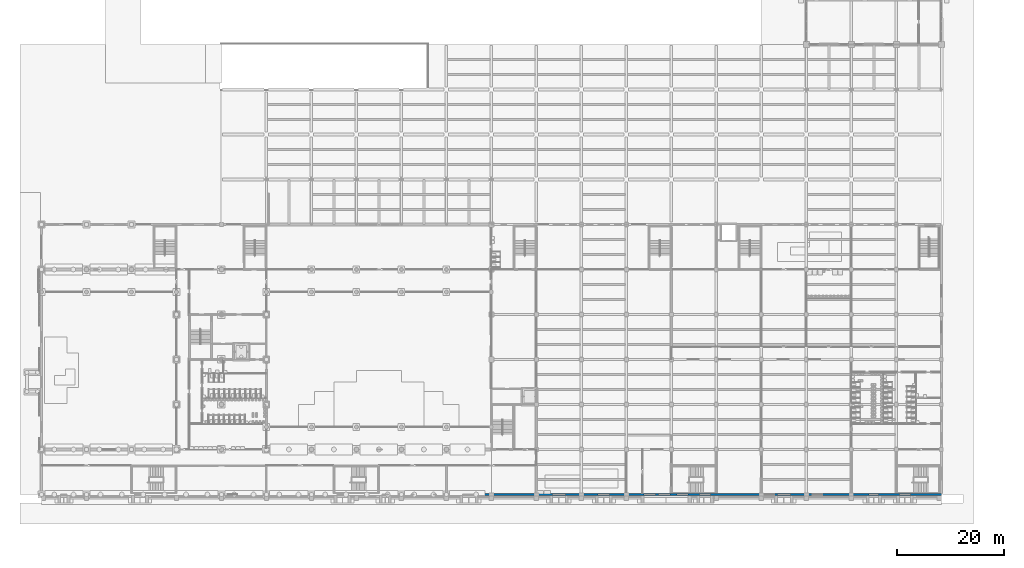
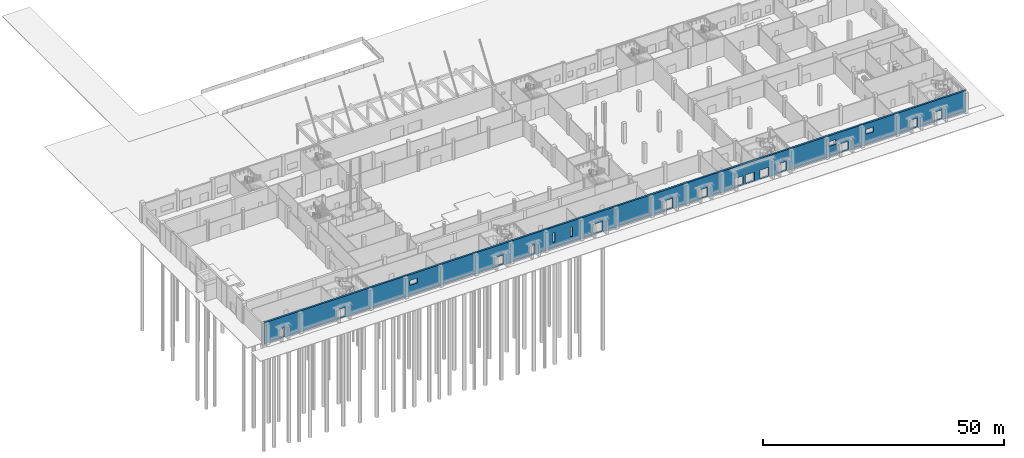
# One storey, part 21 of 74: 1 wall, 19 openings.
"""IFC4 building model written with IfcOpenShell, lengths in metres."""

from ifc_helpers import new_model, si_unit, direction, frame, frame_2d, origin, place, context, subcontext, project, spatial, rectangle, extrude, material, layer, layer_set, type_object, element, save


model = new_model("IFC4")

# Units and contexts
model_context = context("Model", 3, precision=1e-05, world=origin(), true_north=direction((0.0, 1.0)))
body_context = subcontext(model_context, "Body", "Model", "MODEL_VIEW")
ifc_project = project(units=[si_unit("LENGTHUNIT", "METRE"), si_unit("AREAUNIT", "SQUARE_METRE"), si_unit("VOLUMEUNIT", "CUBIC_METRE"), si_unit("PLANEANGLEUNIT", "RADIAN"), si_unit("MASSUNIT", "GRAM", prefix="KILO")], contexts=[model_context])

# Site, building, storey
site_placement = place(None, origin())
site = spatial("IfcSite", under=ifc_project, at=site_placement, CompositionType="ELEMENT")
building_placement = place(site_placement, origin())
building = spatial("IfcBuilding", under=site, at=building_placement, Name="Rulbaag Community and Learning Centre", CompositionType="ELEMENT")
storey_placement = place(building_placement, origin())
storey = spatial("IfcBuildingStorey", under=building, at=storey_placement, Name="L00", CompositionType="ELEMENT", Elevation=0.0)

# Wall, openings
ifc_material = material(Name="Concrete M40", Category="concrete")
ifc_layer = layer(ifc_material, 0.449951171875)
ifc_layer_set = layer_set([ifc_layer], Name="W12 Rail-side wall 450 Concrete M40")
wall_type = type_object("IfcWallType", Name="W12 Rail-side wall 450 Concrete M40", PredefinedType="SOLIDWALL", material=ifc_layer_set)
wall_placement = place(storey_placement, frame((0.0, 0.0, -0.300048828125), z_axis=(0.0, 0.0, 1.0), x_axis=(1.0, 0.0, 0.0)))
wall = element("IfcWall", 1, at=wall_placement, inside=storey, type_object=wall_type, Name="WL-RAIL-L00", PredefinedType="SOLIDWALL", context=body_context, shape_type="SweptSolid", body=[
    extrude(rectangle(XDim=168.0, YDim=0.449951171875, at=frame_2d((84.0, 0.0))), origin(), (0.0, 0.0, 1.0), 5.400146484375),
])
opening_1_placement = place(wall_placement, frame((34.800048828125, 0.0, 2.699951171875)))
element("IfcOpeningElement", 2, at=opening_1_placement, cuts=wall, Name="Opening WN7", PredefinedType="OPENING", context=body_context, shape_type="SweptSolid", body=[
    extrude(rectangle(XDim=1.800048828125, YDim=1.199951171875, at=frame_2d((0.89990234375, 0.60009765625))), frame((0.0, 0.23486328125, 0.0), z_axis=(0.0, -1.0, 0.0), x_axis=(1.0, 0.0, 0.0)), (0.0, 0.0, 1.0), 0.469970703125),
])
opening_2_placement = place(wall_placement, frame((69.074951171875, 0.0, 1.5)))
element("IfcOpeningElement", 3, at=opening_2_placement, cuts=wall, Name="Opening WN6", PredefinedType="OPENING", context=body_context, shape_type="SweptSolid", body=[
    extrude(rectangle(XDim=0.449951171875, YDim=2.39990234375, at=frame_2d((0.22509765625, 1.199951171875))), frame((0.0, 0.23486328125, 0.0), z_axis=(0.0, -1.0, 0.0), x_axis=(1.0, 0.0, 0.0)), (0.0, 0.0, 1.0), 0.469970703125),
])
opening_3_placement = place(wall_placement, frame((73.27490234375, 0.0, 1.5)))
element("IfcOpeningElement", 4, at=opening_3_placement, cuts=wall, Name="Opening WN6", PredefinedType="OPENING", context=body_context, shape_type="SweptSolid", body=[
    extrude(rectangle(XDim=0.449951171875, YDim=2.39990234375, at=frame_2d((0.22509765625, 1.199951171875))), frame((0.0, 0.23486328125, 0.0), z_axis=(0.0, -1.0, 0.0), x_axis=(1.0, 0.0, 0.0)), (0.0, 0.0, 1.0), 0.469970703125),
])
opening_4_placement = place(wall_placement, frame((135.0, 0.0, 2.699951171875)))
element("IfcOpeningElement", 5, at=opening_4_placement, cuts=wall, Name="Opening WN7", PredefinedType="OPENING", context=body_context, shape_type="SweptSolid", body=[
    extrude(rectangle(XDim=1.800048828125, YDim=1.199951171875, at=frame_2d((0.89990234375, 0.60009765625))), frame((0.0, 0.23486328125, 0.0), z_axis=(0.0, -1.0, 0.0), x_axis=(1.0, 0.0, 0.0)), (0.0, 0.0, 1.0), 0.469970703125),
])
opening_5_placement = place(wall_placement, frame((144.0, 0.0, 2.699951171875)))
element("IfcOpeningElement", 6, at=opening_5_placement, cuts=wall, Name="Opening WN7", PredefinedType="OPENING", context=body_context, shape_type="SweptSolid", body=[
    extrude(rectangle(XDim=1.800048828125, YDim=1.199951171875, at=frame_2d((0.89990234375, 0.60009765625))), frame((0.0, 0.23486328125, 0.0), z_axis=(0.0, -1.0, 0.0), x_axis=(1.0, 0.0, 0.0)), (0.0, 0.0, 1.0), 0.469970703125),
])
opening_6_placement = place(wall_placement, frame((114.60009765625, 0.0, 0.300048828125), z_axis=(0.0, 0.0, 1.0), x_axis=(-1.0, 0.0, 0.0)))
element("IfcOpeningElement", 7, at=opening_6_placement, cuts=wall, Name="Opening L00-D098", PredefinedType="OPENING", context=body_context, shape_type="SweptSolid", body=[
    extrude(rectangle(XDim=2.10009765625, YDim=2.199951171875, at=frame_2d((1.050048828125, 1.10009765625))), frame((0.0, 0.23486328125, 0.0), z_axis=(0.0, -1.0, 0.0), x_axis=(1.0, 0.0, 0.0)), (0.0, 0.0, 1.0), 0.469970703125),
])
opening_7_placement = place(wall_placement, frame((117.300048828125, 0.0, 0.300048828125), z_axis=(0.0, 0.0, 1.0), x_axis=(-1.0, 0.0, 0.0)))
element("IfcOpeningElement", 8, at=opening_7_placement, cuts=wall, Name="Opening L00-D100", PredefinedType="OPENING", context=body_context, shape_type="SweptSolid", body=[
    extrude(rectangle(XDim=2.10009765625, YDim=2.199951171875, at=frame_2d((1.050048828125, 1.10009765625))), frame((0.0, 0.23486328125, 0.0), z_axis=(0.0, -1.0, 0.0), x_axis=(1.0, 0.0, 0.0)), (0.0, 0.0, 1.0), 0.469970703125),
])
opening_8_placement = place(wall_placement, frame((106.050048828125, 0.0, 0.300048828125), z_axis=(0.0, 0.0, 1.0), x_axis=(-1.0, 0.0, 0.0)))
element("IfcOpeningElement", 9, at=opening_8_placement, cuts=wall, Name="Opening L00-D094", PredefinedType="OPENING", context=body_context, shape_type="SweptSolid", body=[
    extrude(rectangle(XDim=2.10009765625, YDim=2.199951171875, at=frame_2d((1.050048828125, 1.10009765625))), frame((0.0, 0.23486328125, 0.0), z_axis=(0.0, -1.0, 0.0), x_axis=(1.0, 0.0, 0.0)), (0.0, 0.0, 1.0), 0.469970703125),
])
opening_9_placement = place(wall_placement, frame((57.25, 0.0, 0.300048828125), z_axis=(0.0, 0.0, 1.0), x_axis=(-1.0, 0.0, 0.0)))
element("IfcOpeningElement", 10, at=opening_9_placement, cuts=wall, Name="Opening L00-D066", PredefinedType="OPENING", context=body_context, shape_type="SweptSolid", body=[
    extrude(rectangle(XDim=2.10009765625, YDim=2.199951171875, at=frame_2d((1.050048828125, 1.10009765625))), frame((0.0, 0.23486328125, 0.0), z_axis=(0.0, -1.0, 0.0), x_axis=(1.0, 0.0, 0.0)), (0.0, 0.0, 1.0), 0.469970703125),
])
opening_10_placement = place(wall_placement, frame((120.75, 0.0, 0.300048828125), z_axis=(0.0, 0.0, 1.0), x_axis=(-1.0, 0.0, 0.0)))
element("IfcOpeningElement", 11, at=opening_10_placement, cuts=wall, Name="Opening L00-D106", PredefinedType="OPENING", context=body_context, shape_type="SweptSolid", body=[
    extrude(rectangle(XDim=2.10009765625, YDim=2.199951171875, at=frame_2d((1.050048828125, 1.10009765625))), frame((0.0, 0.23486328125, 0.0), z_axis=(0.0, -1.0, 0.0), x_axis=(1.0, 0.0, 0.0)), (0.0, 0.0, 1.0), 0.469970703125),
])
opening_11_placement = place(wall_placement, frame((124.9501953125, 0.0, 0.300048828125), z_axis=(0.0, 0.0, 1.0), x_axis=(-1.0, 0.0, 0.0)))
element("IfcOpeningElement", 12, at=opening_11_placement, cuts=wall, Name="Opening L00-D110", PredefinedType="OPENING", context=body_context, shape_type="SweptSolid", body=[
    extrude(rectangle(XDim=2.10009765625, YDim=2.199951171875, at=frame_2d((1.050048828125, 1.10009765625))), frame((0.0, 0.23486328125, 0.0), z_axis=(0.0, -1.0, 0.0), x_axis=(1.0, 0.0, 0.0)), (0.0, 0.0, 1.0), 0.469970703125),
])
opening_12_placement = place(wall_placement, frame((19.4501953125, 0.0, 0.300048828125), z_axis=(0.0, 0.0, 1.0), x_axis=(-1.0, 0.0, 0.0)))
element("IfcOpeningElement", 13, at=opening_12_placement, cuts=wall, Name="Opening L00-D013", PredefinedType="OPENING", context=body_context, shape_type="SweptSolid", body=[
    extrude(rectangle(XDim=2.10009765625, YDim=2.199951171875, at=frame_2d((1.050048828125, 1.10009765625))), frame((0.0, 0.23486328125, 0.0), z_axis=(0.0, -1.0, 0.0), x_axis=(1.0, 0.0, 0.0)), (0.0, 0.0, 1.0), 0.469970703125),
])
opening_13_placement = place(wall_placement, frame((162.25, 0.0, 0.300048828125), z_axis=(0.0, 0.0, 1.0), x_axis=(-1.0, 0.0, 0.0)))
element("IfcOpeningElement", 14, at=opening_13_placement, cuts=wall, Name="Opening L00-D177", PredefinedType="OPENING", context=body_context, shape_type="SweptSolid", body=[
    extrude(rectangle(XDim=2.10009765625, YDim=2.199951171875, at=frame_2d((1.050048828125, 1.10009765625))), frame((0.0, 0.23486328125, 0.0), z_axis=(0.0, -1.0, 0.0), x_axis=(1.0, 0.0, 0.0)), (0.0, 0.0, 1.0), 0.469970703125),
])
opening_14_placement = place(wall_placement, frame((4.800048828125, 0.0, 0.300048828125), z_axis=(0.0, 0.0, 1.0), x_axis=(-1.0, 0.0, 0.0)))
element("IfcOpeningElement", 15, at=opening_14_placement, cuts=wall, Name="Opening L00-D005", PredefinedType="OPENING", context=body_context, shape_type="SweptSolid", body=[
    extrude(rectangle(XDim=1.199951171875, YDim=2.199951171875, at=frame_2d((0.60009765625, 1.10009765625))), frame((0.0, 0.23486328125, 0.0), z_axis=(0.0, -1.0, 0.0), x_axis=(1.0, 0.0, 0.0)), (0.0, 0.0, 1.0), 0.469970703125),
])
opening_15_placement = place(wall_placement, frame((64.800048828125, 0.0, 0.300048828125), z_axis=(0.0, 0.0, 1.0), x_axis=(-1.0, 0.0, 0.0)))
element("IfcOpeningElement", 16, at=opening_15_placement, cuts=wall, Name="Opening L00-D072", PredefinedType="OPENING", context=body_context, shape_type="SweptSolid", body=[
    extrude(rectangle(XDim=1.199951171875, YDim=2.199951171875, at=frame_2d((0.60009765625, 1.10009765625))), frame((0.0, 0.23486328125, 0.0), z_axis=(0.0, -1.0, 0.0), x_axis=(1.0, 0.0, 0.0)), (0.0, 0.0, 1.0), 0.469970703125),
])
opening_16_placement = place(wall_placement, frame((81.0, 0.0, 0.300048828125), z_axis=(0.0, 0.0, 1.0), x_axis=(-1.0, 0.0, 0.0)))
element("IfcOpeningElement", 17, at=opening_16_placement, cuts=wall, Name="Opening L00-D075", PredefinedType="OPENING", context=body_context, shape_type="SweptSolid", body=[
    extrude(rectangle(XDim=2.39990234375, YDim=2.39990234375, at=frame_2d((1.199951171875, 1.199951171875))), frame((0.0, 0.23486328125, 0.0), z_axis=(0.0, -1.0, 0.0), x_axis=(1.0, 0.0, 0.0)), (0.0, 0.0, 1.0), 0.469970703125),
])
opening_17_placement = place(wall_placement, frame((97.7998046875, 0.0, 0.300048828125), z_axis=(0.0, 0.0, 1.0), x_axis=(-1.0, 0.0, 0.0)))
element("IfcOpeningElement", 18, at=opening_17_placement, cuts=wall, Name="Opening L00-D091", PredefinedType="OPENING", context=body_context, shape_type="SweptSolid", body=[
    extrude(rectangle(XDim=2.39990234375, YDim=2.39990234375, at=frame_2d((1.199951171875, 1.199951171875))), frame((0.0, 0.23486328125, 0.0), z_axis=(0.0, -1.0, 0.0), x_axis=(1.0, 0.0, 0.0)), (0.0, 0.0, 1.0), 0.469970703125),
])
opening_18_placement = place(wall_placement, frame((139.7998046875, 0.0, 0.300048828125), z_axis=(0.0, 0.0, 1.0), x_axis=(-1.0, 0.0, 0.0)))
element("IfcOpeningElement", 19, at=opening_18_placement, cuts=wall, Name="Opening L00-D122", PredefinedType="OPENING", context=body_context, shape_type="SweptSolid", body=[
    extrude(rectangle(XDim=2.39990234375, YDim=2.10009765625, at=frame_2d((1.199951171875, 1.050048828125))), frame((0.0, 0.23486328125, 0.0), z_axis=(0.0, -1.0, 0.0), x_axis=(1.0, 0.0, 0.0)), (0.0, 0.0, 1.0), 0.469970703125),
])
opening_19_placement = place(wall_placement, frame((156.300048828125, 0.0, 0.300048828125), z_axis=(0.0, 0.0, 1.0), x_axis=(-1.0, 0.0, 0.0)))
element("IfcOpeningElement", 20, at=opening_19_placement, cuts=wall, Name="Opening L00-D155", PredefinedType="OPENING", context=body_context, shape_type="SweptSolid", body=[
    extrude(rectangle(XDim=1.800048828125, YDim=2.199951171875, at=frame_2d((0.89990234375, 1.10009765625))), frame((0.0, 0.23486328125, 0.0), z_axis=(0.0, -1.0, 0.0), x_axis=(1.0, 0.0, 0.0)), (0.0, 0.0, 1.0), 0.469970703125),
])

save(model, "model.ifc")
